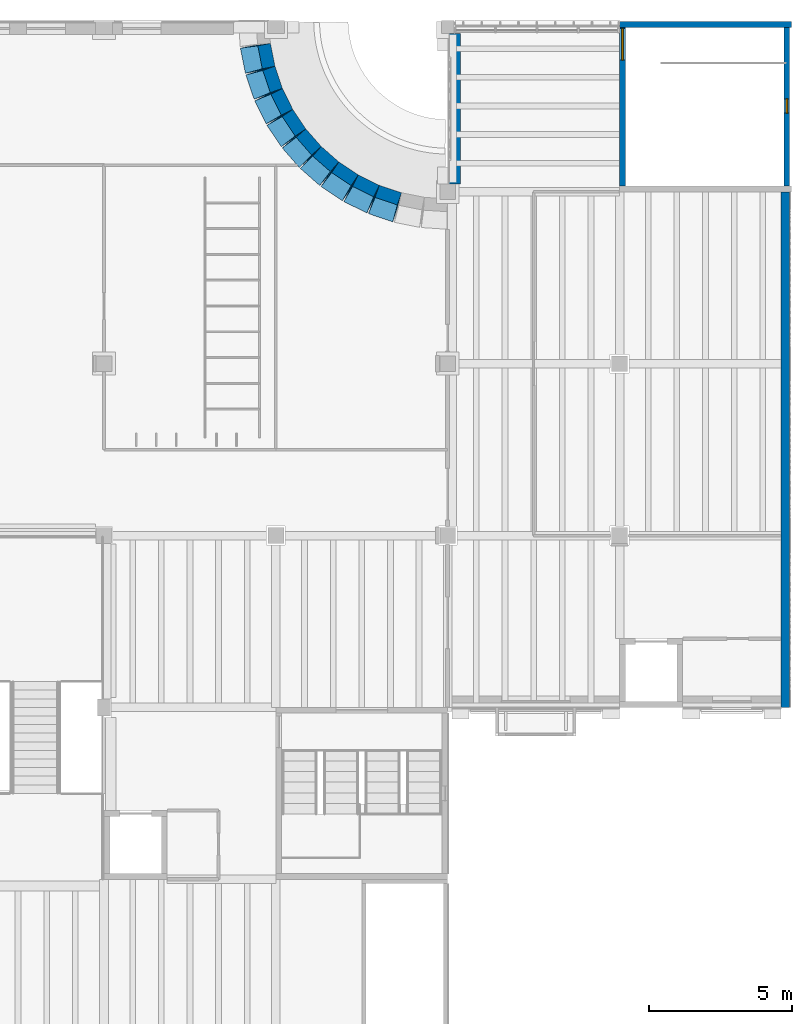
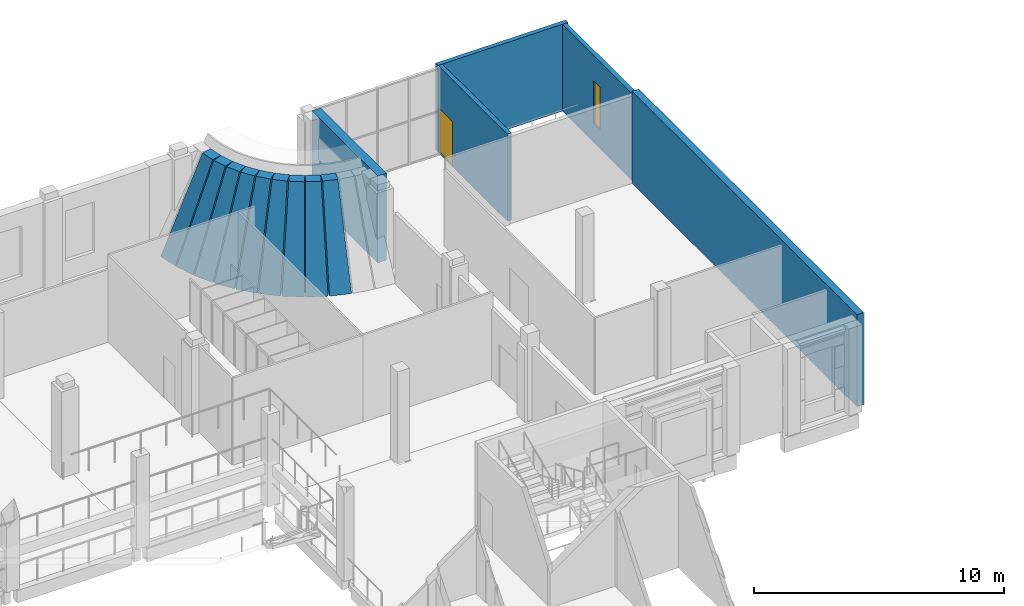
# One storey, part 35 of 70: 14 walls, 1 door, 1 window, 2 openings.
"""IFC4 building model written with IfcOpenShell, lengths in metres."""

from ifc_helpers import new_model, si_unit, direction, frame, frame_2d, origin, place, context, subcontext, project, spatial, polyline, rectangle, outline, extrude, material, layer, layer_set, type_object, element, fill, save


model = new_model("IFC4")

# Units and contexts
model_context = context("Model", 3, precision=1e-05, world=origin(), true_north=direction((0.0, 1.0)))
body_context = subcontext(model_context, "Body", "Model", "MODEL_VIEW")
ifc_project = project(units=[si_unit("LENGTHUNIT", "METRE"), si_unit("AREAUNIT", "SQUARE_METRE"), si_unit("VOLUMEUNIT", "CUBIC_METRE"), si_unit("PLANEANGLEUNIT", "RADIAN"), si_unit("MASSUNIT", "GRAM", prefix="KILO")], contexts=[model_context])

# Site, building, storey
site_placement = place(None, origin())
site = spatial("IfcSite", under=ifc_project, at=site_placement, CompositionType="ELEMENT")
building_placement = place(site_placement, origin())
building = spatial("IfcBuilding", under=site, at=building_placement, Name="Saffron Lane Theatres", CompositionType="ELEMENT")
storey_placement = place(building_placement, frame((0.0, 0.0, 12.0)))
storey = spatial("IfcBuildingStorey", under=building, at=storey_placement, Name="L02", CompositionType="ELEMENT", Elevation=12.0)

# Wall
ifc_material_1 = material(Name="Masonry pale clay brick", Category="masonry")
ifc_layer_1 = layer(ifc_material_1, 0.11, Name="facing leaf")
ifc_material_2 = material(Name="Air cavity", Category="air")
ifc_layer_2 = layer(ifc_material_2, 0.05, ventilated=True, Name="cavity")
ifc_material_3 = material(Name="Mineral wool insulation")
ifc_layer_3 = layer(ifc_material_3, 0.06, Name="insulation")
ifc_material_4 = material(Name="Concrete N40 (40 MPa)", Category="concrete")
ifc_layer_4 = layer(ifc_material_4, 0.18, Name="inner leaf")
ifc_layer_set_1 = layer_set([ifc_layer_1, ifc_layer_2, ifc_layer_3, ifc_layer_4], Name="Masonry pale clay brick")
wall_type_1 = type_object("IfcWallType", Name="EX-WALL BRICK 400", PredefinedType="SOLIDWALL", material=ifc_layer_set_1)
wall_1_placement = place(storey_placement, frame((54.25, 120.27490234375, 0.0), z_axis=(0.0, 0.0, 1.0), x_axis=(0.0, 1.0, 0.0)))
element("IfcWall", 1, at=wall_1_placement, inside=storey, type_object=wall_type_1, Name="External wall L02 17", PredefinedType="SOLIDWALL", context=body_context, shape_type="SweptSolid", body=[
    extrude(rectangle(XDim=5.24951171875, YDim=0.39990234375, at=frame_2d((2.624755859375, 0.0))), origin(), (0.0, 0.0, 1.0), 4.25),
])

# Wall, opening, door
ifc_material_5 = material(Name="Concrete N50 (50 MPa)", Category="concrete")
ifc_layer_5 = layer(ifc_material_5, 0.199951171875)
ifc_layer_set_2 = layer_set([ifc_layer_5], Name="Concrete N50 (50 MPa)")
wall_type_2 = type_object("IfcWallType", Name="RC-CORE 200", PredefinedType="SHEAR", material=ifc_layer_set_2)
wall_2_placement = place(storey_placement, frame((60.10009765625, 120.199951171875, 0.0), z_axis=(0.0, 0.0, 1.0), x_axis=(0.0, 1.0, 0.0)))
wall_2 = element("IfcWall", 2, at=wall_2_placement, inside=storey, type_object=wall_type_2, Name="W-ST15-W-L02", PredefinedType="SHEAR", context=body_context, shape_type="SweptSolid", body=[
    extrude(rectangle(XDim=5.60009765625, YDim=0.199951171875, at=frame_2d((2.800048828125, 0.0))), origin(), (0.0, 0.0, 1.0), 4.25),
])
opening_1_placement = place(wall_2_placement, frame((4.39990234375, 0.0, 0.0)))
opening_1 = element("IfcOpeningElement", 3, at=opening_1_placement, cuts=wall_2, Name="Opening D02-32", PredefinedType="OPENING", context=body_context, shape_type="SweptSolid", body=[
    extrude(rectangle(XDim=1.10009765625, YDim=2.199951171875, at=frame_2d((0.550048828125, 1.10009765625))), frame((0.0, 0.10986328125, 0.0), z_axis=(0.0, -1.0, 0.0), x_axis=(1.0, 0.0, 0.0)), (0.0, 0.0, 1.0), 0.219970703125),
])
ifc_material_6 = material(Name="Steel faced fire door leaf", Category="steel")
door_type = type_object("IfcDoorType", Name="IN-DOOR 1100x2200 FD120", OperationType="NOTDEFINED", PredefinedType="DOOR", material=ifc_material_6)
door_placement = place(opening_1_placement, frame((1.10009765625, 0.0, 0.0), z_axis=(0.0, 0.0, 1.0), x_axis=(-1.0, 0.0, 0.0)))
door = element("IfcDoor", 4, at=door_placement, inside=storey, type_object=door_type, Name="D02-32", OperationType="SINGLE_SWING_RIGHT", OverallHeight=2.199951171875, OverallWidth=1.10009765625, PredefinedType="DOOR", context=body_context, shape_type="SweptSolid", body=[
    extrude(rectangle(XDim=1.10009765625, YDim=2.199951171875, at=frame_2d((0.550048828125, 1.10009765625))), frame((0.0, 0.02490234375, 0.0), z_axis=(0.0, -1.0, 0.0), x_axis=(1.0, 0.0, 0.0)), (0.0, 0.0, 1.0), 0.050048828125),
])
fill(opening_1, door)

# Wall
ifc_material_7 = material(Name="Concrete N50 (50 MPa)", Category="concrete")
ifc_layer_6 = layer(ifc_material_7, 0.199951171875)
ifc_layer_set_3 = layer_set([ifc_layer_6], Name="Concrete N50 (50 MPa)")
wall_type_3 = type_object("IfcWallType", Name="RC-CORE EXTERNAL 200", PredefinedType="SHEAR", material=ifc_layer_set_3)
wall_3_placement = place(storey_placement, frame((60.0, 125.840087890625, 0.0), z_axis=(0.0, 0.0, 1.0), x_axis=(1.0, 0.0, 0.0)))
element("IfcWall", 5, at=wall_3_placement, inside=storey, type_object=wall_type_3, Name="W-ST15-N-L02", PredefinedType="SHEAR", context=body_context, shape_type="SweptSolid", body=[
    extrude(rectangle(XDim=6.0, YDim=0.199951171875, at=frame_2d((3.0, 0.0))), origin(), (0.0, 0.0, 1.0), 4.25),
])

# Wall, opening, window
wall_4_placement = place(storey_placement, frame((65.840087890625, 120.199951171875, 0.0), z_axis=(0.0, 0.0, 1.0), x_axis=(0.0, 1.0, 0.0)))
wall_4 = element("IfcWall", 6, at=wall_4_placement, inside=storey, type_object=wall_type_3, Name="W-ST15-E-L02", PredefinedType="SHEAR", context=body_context, shape_type="SweptSolid", body=[
    extrude(rectangle(XDim=5.60009765625, YDim=0.199951171875, at=frame_2d((2.800048828125, 0.0))), origin(), (0.0, 0.0, 1.0), 4.25),
])
opening_2_placement = place(wall_4_placement, frame((2.550048828125, 0.0, 0.89990234375)))
opening_2 = element("IfcOpeningElement", 7, at=opening_2_placement, cuts=wall_4, Name="Opening WN02-036", PredefinedType="OPENING", context=body_context, shape_type="SweptSolid", body=[
    extrude(rectangle(XDim=0.5, YDim=2.10009765625, at=frame_2d((0.25, 1.050048828125))), frame((0.0, 0.10986328125, 0.0), z_axis=(0.0, -1.0, 0.0), x_axis=(1.0, 0.0, 0.0)), (0.0, 0.0, 1.0), 0.219970703125),
])
ifc_material_8 = material(Name="Aluminium", Category="aluminium")
window_type = type_object("IfcWindowType", Name="EX-WINDOW 500x2100", PartitioningType="SINGLE_PANEL", PredefinedType="WINDOW", material=ifc_material_8)
window_placement = place(opening_2_placement, origin())
window = element("IfcWindow", 8, at=window_placement, inside=storey, type_object=window_type, Name="Stair light ST15 L02", OverallHeight=2.10009765625, OverallWidth=0.5, PartitioningType="SINGLE_PANEL", PredefinedType="WINDOW", context=body_context, shape_type="SweptSolid", body=[
    extrude(rectangle(XDim=0.5, YDim=2.10009765625, at=frame_2d((0.25, 1.050048828125))), frame((0.0, 0.030029296875, 0.0), z_axis=(0.0, -1.0, 0.0), x_axis=(1.0, 0.0, 0.0)), (0.0, 0.0, 1.0), 0.06005859375),
])
fill(opening_2, window)

# Walls
ifc_material_9 = material(Name="Concrete N50 (50 MPa)", Category="concrete")
ifc_layer_7 = layer(ifc_material_9, 0.300048828125)
ifc_layer_set_4 = layer_set([ifc_layer_7], Name="Concrete N50 (50 MPa)")
wall_type_4 = type_object("IfcWallType", Name="RC-PARTY 300", PredefinedType="SOLIDWALL", material=ifc_layer_set_4)
wall_5_placement = place(storey_placement, frame((65.7900390625, 102.0, 0.0), z_axis=(0.0, 0.0, 1.0), x_axis=(0.0, 1.0, 0.0)))
element("IfcWall", 9, at=wall_5_placement, inside=storey, type_object=wall_type_4, Name="W-PARTY-E-102-L02", PredefinedType="SOLIDWALL", context=body_context, shape_type="SweptSolid", body=[
    extrude(rectangle(XDim=18.0, YDim=0.300048828125, at=frame_2d((9.0, 0.0))), origin(), (0.0, 0.0, 1.0), 4.5),
])
ifc_layer_8 = layer(ifc_material_1, 0.11, Name="facing")
ifc_material_10 = material(Name="Concrete N50 (50 MPa)", Category="concrete")
ifc_layer_9 = layer(ifc_material_10, 0.29, Name="structure")
ifc_layer_set_5 = layer_set([ifc_layer_8, ifc_layer_9], Name="Concrete N50 (50 MPa)")
wall_type_5 = type_object("IfcWallType", Name="RC-SCOOP 400", PredefinedType="SOLIDWALL", material=ifc_layer_set_5)
wall_6_placement = place(storey_placement, frame((47.376708984375, 124.224853515625, 0.0), z_axis=(-0.874485160623, -0.173864175636, 0.452821104058), x_axis=(-0.194983637213, 0.980806494595, 3.7134606e-05)))
element("IfcWall", 10, at=wall_6_placement, inside=storey, type_object=wall_type_5, Name="W-SCOOP-NE-L02-1-F2", PredefinedType="SOLIDWALL", context=body_context, shape_type="SweptSolid", body=[
    extrude(outline(polyline([(0.0, 0.0), (0.8968393760427665, 0.0), (0.7590432554510104, -4.654405189859966), (0.13847136212005545, -4.654468389032223), (0.0, 0.0)])), origin(), (-0.000108512443, 0.452821098111, 0.891601391503), 0.44873046875),
])
wall_7_placement = place(storey_placement, frame((47.6650390625, 123.37548828125, 0.0), z_axis=(-0.84427927495, -0.286590212598, 0.4528339165), x_axis=(-0.321438214512, 0.946930554063, -5.728117e-06)))
element("IfcWall", 11, at=wall_7_placement, inside=storey, type_object=wall_type_5, Name="W-SCOOP-NE-L02-1-F3", PredefinedType="SOLIDWALL", context=body_context, shape_type="SweptSolid", body=[
    extrude(outline(polyline([(0.0, 0.0), (0.8969701974913831, 0.0), (0.7587428989896885, -4.654475644136189), (0.13816749252324861, -4.654465894553028), (0.0, 0.0)])), origin(), (-9.21899e-07, 0.452833916512, 0.891594887858), 0.44873046875),
])
wall_8_placement = place(storey_placement, frame((48.061767578125, 122.571044921875, 0.0), z_axis=(-0.79960239595, -0.394422706522, 0.452842949565), x_axis=(-0.44236601092, 0.896834606426, 3.3147366e-05)))
element("IfcWall", 12, at=wall_8_placement, inside=storey, type_object=wall_type_5, Name="W-SCOOP-NE-L02-1-F4", PredefinedType="SOLIDWALL", context=body_context, shape_type="SweptSolid", body=[
    extrude(outline(polyline([(0.0, 0.0), (0.8969518544726456, 2.7755575615628914e-17), (0.7588051981029089, -4.654466512576864), (0.13809116857723258, -4.654522936055058), (0.0, 0.0)])), origin(), (8.6050039e-05, 0.45284295068, 0.891590295267), 0.44873046875),
])
wall_9_placement = place(storey_placement, frame((48.56005859375, 121.8251953125, 0.0), z_axis=(-0.74138193161, -0.495258620594, 0.452848462745), x_axis=(-0.555487117891, 0.831525141854, -1.792587e-05)))
element("IfcWall", 13, at=wall_9_placement, inside=storey, type_object=wall_type_5, Name="W-SCOOP-NE-L02-1-F5", PredefinedType="SOLIDWALL", context=body_context, shape_type="SweptSolid", body=[
    extrude(outline(polyline([(0.0, 0.0), (0.8969869423780314, 2.7755575615628914e-17), (0.7589518069679643, -4.654524598446531), (0.13829947290007322, -4.654494085451669), (0.0, 0.0)])), origin(), (-9.9549128e-05, 0.452848462165, 0.891587494531), 0.44873046875),
])
wall_10_placement = place(storey_placement, frame((49.151611328125, 121.15087890625, 0.0), z_axis=(-0.67027340996, -0.587941516676, 0.452833665786), x_axis=(-0.659435029258, 0.751761559077, -2.1938488e-05)))
element("IfcWall", 14, at=wall_10_placement, inside=storey, type_object=wall_type_5, Name="W-SCOOP-NE-L02-1-F6", PredefinedType="SOLIDWALL", context=body_context, shape_type="SweptSolid", body=[
    extrude(outline(polyline([(0.0, 0.0), (0.897015747574072, 2.7755575615628914e-17), (0.7585375201372905, -4.654488770596309), (0.13797368995346154, -4.654451429202446), (0.0, 0.0)])), origin(), (0.000118655435, 0.452833660386, 0.891595010048), 0.44873046875),
])
wall_11_placement = place(storey_placement, frame((49.82568359375, 120.5595703125, 0.0), z_axis=(-0.58793091204, -0.670281410701, 0.452835591728), x_axis=(-0.75177274522, 0.659422276866, 1.779507e-05)))
element("IfcWall", 15, at=wall_11_placement, inside=storey, type_object=wall_type_5, Name="W-SCOOP-NE-L02-1-F7", PredefinedType="SOLIDWALL", context=body_context, shape_type="SweptSolid", body=[
    extrude(outline(polyline([(0.0, 0.0), (0.8966712168268893, -5.551115123125783e-17), (0.7589891093934683, -4.654460063623249), (0.1384252783037284, -4.654490345682832), (0.0, 0.0)])), origin(), (-0.000101692142, 0.452835587845, 0.891594033201), 0.44873046875),
])
wall_12_placement = place(storey_placement, frame((50.571533203125, 120.061279296875, 0.0), z_axis=(-0.495362670827, -0.741323001014, 0.452831130245), x_axis=(-0.831466073356, 0.55557552822, -3.6077311e-05)))
element("IfcWall", 16, at=wall_12_placement, inside=storey, type_object=wall_type_5, Name="W-SCOOP-NE-L02-1-F8", PredefinedType="SOLIDWALL", context=body_context, shape_type="SweptSolid", body=[
    extrude(outline(polyline([(0.0, 0.0), (0.8969869402340308, 0.0), (0.7586874712913921, -4.654494085156078), (0.13789950731464745, -4.654432670324672), (0.0, 0.0)])), origin(), (-6.778073e-06, 0.452831130747, 0.891596302696), 0.44873046875),
])
wall_13_placement = place(storey_placement, frame((51.3759765625, 119.66455078125, 0.0), z_axis=(-0.394311536262, -0.799667811809, 0.452824251921), x_axis=(-0.896885337172, 0.44226314716, 2.5104622e-05)))
element("IfcWall", 17, at=wall_13_placement, inside=storey, type_object=wall_type_5, Name="W-SCOOP-NE-L02-1-F9", PredefinedType="SOLIDWALL", context=body_context, shape_type="SweptSolid", body=[
    extrude(outline(polyline([(0.0, 0.0), (0.8969518554971424, 0.0), (0.7587526998038332, -4.6544237831017465), (0.13814665826093955, -4.654466512718161), (0.0, 0.0)])), origin(), (2.8643299e-05, 0.452824252519, 0.891599795598), 0.44873046875),
])
wall_14_placement = place(storey_placement, frame((52.225341796875, 119.376220703125, 0.0), z_axis=(-0.286590212598, -0.84427927495, 0.4528339165), x_axis=(-0.946930554063, 0.321438214512, 5.728117e-06)))
element("IfcWall", 18, at=wall_14_placement, inside=storey, type_object=wall_type_5, Name="W-SCOOP-NE-L02-1-F10", PredefinedType="SOLIDWALL", context=body_context, shape_type="SweptSolid", body=[
    extrude(outline(polyline([(0.0, 0.0), (0.8969701974913831, 0.0), (0.7588027049681345, -4.654465894553028), (0.13822729850169463, -4.654475644136189), (0.0, 0.0)])), origin(), (9.21899e-07, 0.452833916512, 0.891594887858), 0.44873046875),
])

save(model, "model.ifc")
